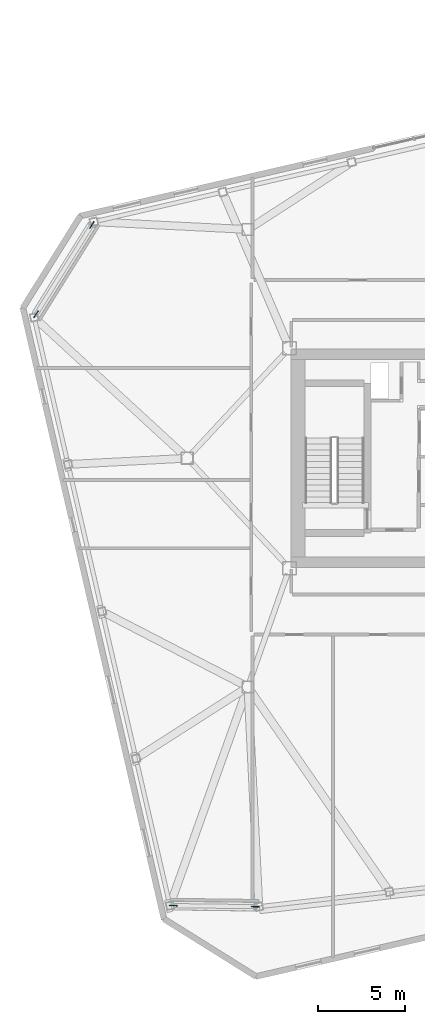
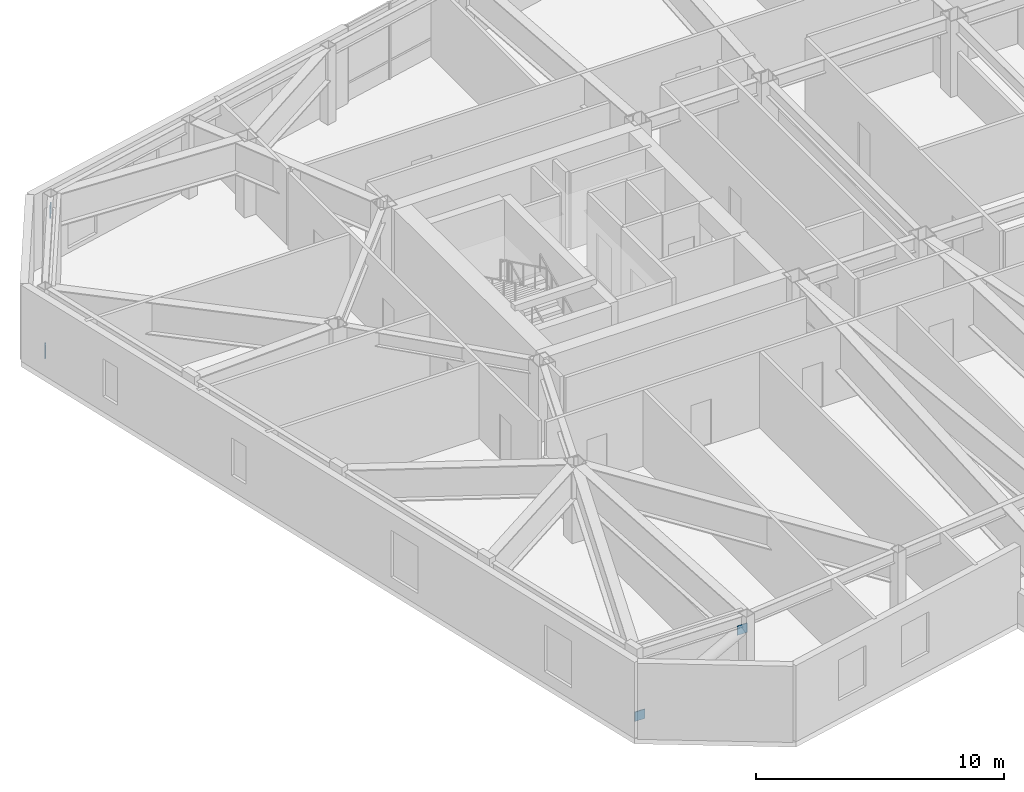
# One storey, part 19 of 21: 4 discrete accessories.
"""IFC4 building model written with IfcOpenShell, lengths in metres."""

from ifc_helpers import new_model, si_unit, direction, frame, origin, origin_2d, place, context, subcontext, project, spatial, rectangle, extrude, material, type_object, element, save


model = new_model("IFC4")

# Units and contexts
model_context = context("Model", 3, precision=1e-05, world=origin(), true_north=direction((0.0, 1.0)))
body_context = subcontext(model_context, "Body", "Model", "MODEL_VIEW")
ifc_project = project(units=[si_unit("LENGTHUNIT", "METRE"), si_unit("AREAUNIT", "SQUARE_METRE"), si_unit("VOLUMEUNIT", "CUBIC_METRE"), si_unit("PLANEANGLEUNIT", "RADIAN"), si_unit("MASSUNIT", "GRAM", prefix="KILO")], contexts=[model_context])

# Site, building, storey
site_placement = place(None, origin())
site = spatial("IfcSite", under=ifc_project, at=site_placement, CompositionType="ELEMENT")
building_placement = place(site_placement, origin())
building = spatial("IfcBuilding", under=site, at=building_placement, Name="Tavrogorsk Clinical Tower", CompositionType="ELEMENT")
storey_placement = place(building_placement, frame((0.0, 0.0, 281.0)))
storey = spatial("IfcBuildingStorey", under=building, at=storey_placement, Name="L65", CompositionType="ELEMENT", Elevation=281.0)

# Discrete accessories
ifc_material = material(Name="Structural steel S440", Category="steel")
discrete_accessory_type = type_object("IfcDiscreteAccessoryType", Name="GussetPlateBracket_25", PredefinedType="BRACKET", material=ifc_material)
for number, where, z_axis, x_axis, name in (
    (1, (-36.72265625, 8.30908203125, 0.163330078125), (0.0, 0.0, 1.0), (0.529919264233, 0.848048096156, 0.0), "L65 Brace Gusset Plate EXOCRN-L65-3-A"),
    (2, (-33.501708984375, 13.4638671875, 2.81689453125), (0.0, 0.0, 1.0), (0.529919264233, 0.848048096156, 0.0), "L65 Brace Gusset Plate EXOCRN-L65-3-B"),
    (3, (-28.794677734375, -25.821533203125, 0.182861328125), (0.0, 0.0, 1.0), (0.999914327574, -0.013089595571, 0.0), "L65 Brace Gusset Plate EXOCRN-L65-4-A"),
    (4, (-24.07080078125, -25.883056640625, 2.797119140625), (0.0, 0.0, 1.0), (0.999914327574, -0.013089595571, 0.0), "L65 Brace Gusset Plate EXOCRN-L65-4-B"),
):
    element("IfcDiscreteAccessory", number, at=place(storey_placement, frame(where, z_axis=z_axis, x_axis=x_axis)), inside=storey, type_object=discrete_accessory_type, Name=name, PredefinedType="BRACKET", context=body_context, shape_type="SweptSolid", body=[
        extrude(rectangle(XDim=0.4599609375, YDim=0.0400390625, at=origin_2d()), origin(), (0.0, 0.0, 1.0), 0.4599609375),
    ])

save(model, "model.ifc")
